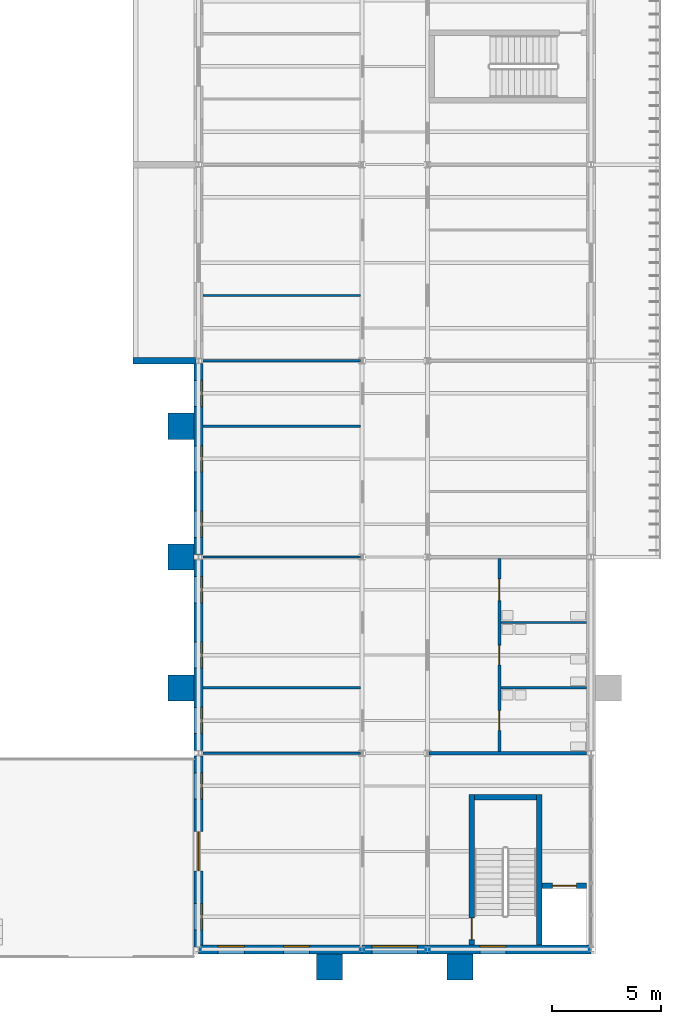
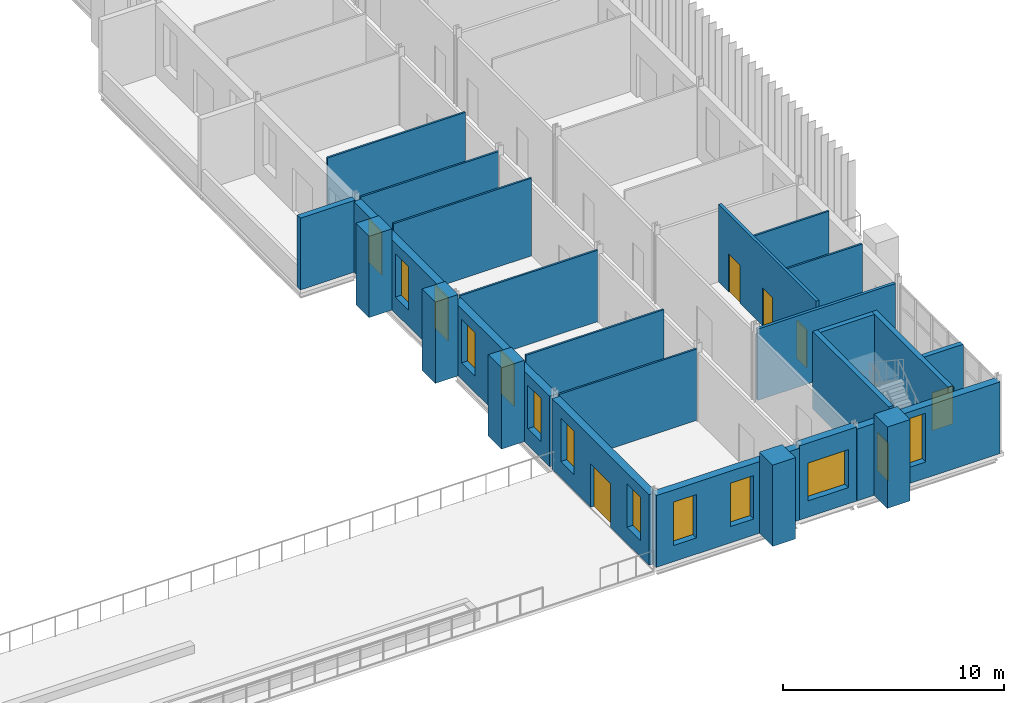
# One storey, part 87 of 134: 26 walls, 12 windows, 6 doors, 18 openings.
"""IFC4 building model written with IfcOpenShell, lengths in metres."""

from ifc_helpers import new_model, si_unit, direction, frame, frame_2d, origin, place, context, subcontext, project, spatial, rectangle, extrude, material, layer, layer_set, type_object, element, fill, save


model = new_model("IFC4")

# Units and contexts
model_context = context("Model", 3, precision=1e-05, world=origin(), true_north=direction((0.0, 1.0)))
body_context = subcontext(model_context, "Body", "Model", "MODEL_VIEW")
ifc_project = project(units=[si_unit("LENGTHUNIT", "METRE"), si_unit("AREAUNIT", "SQUARE_METRE"), si_unit("VOLUMEUNIT", "CUBIC_METRE"), si_unit("PLANEANGLEUNIT", "RADIAN"), si_unit("MASSUNIT", "GRAM", prefix="KILO")], contexts=[model_context])

# Site, building, storey
site_placement = place(None, origin())
site = spatial("IfcSite", under=ifc_project, at=site_placement, CompositionType="ELEMENT")
building_placement = place(site_placement, origin())
building = spatial("IfcBuilding", under=site, at=building_placement, Name="Golden Quay Civic Hall", CompositionType="ELEMENT")
storey_placement = place(building_placement, frame((0.0, 0.0, 5.39990234375)))
storey = spatial("IfcBuildingStorey", under=building, at=storey_placement, Name="L01", CompositionType="ELEMENT", Elevation=5.39990234375)

# Wall, openings, door, windows
ifc_material_1 = material(Name="Brick, dark clay facing", Category="masonry")
ifc_layer_1 = layer(ifc_material_1, 0.39990234375)
ifc_layer_set_1 = layer_set([ifc_layer_1], Name="Brick external wall 400")
wall_type_1 = type_object("IfcWallType", Name="Brick external wall 400", PredefinedType="STANDARD", material=ifc_layer_set_1)
wall_1_placement = place(storey_placement, frame((153.0, -8.885009765625, 0.0), z_axis=(0.0, 0.0, 1.0), x_axis=(0.0, 1.0, 0.0)))
wall_1 = element("IfcWall", 1, at=wall_1_placement, inside=storey, type_object=wall_type_1, Name="Brick external wall 400 L01 11", PredefinedType="STANDARD", context=body_context, shape_type="SweptSolid", body=[
    extrude(rectangle(XDim=8.77001953125, YDim=0.39990234375, at=frame_2d((4.385009765625, 0.0))), origin(), (0.0, 0.0, 1.0), 3.900146484375),
])
opening_1_placement = place(wall_1_placement, frame((3.485107421875, 0.0, 0.0)))
opening_1 = element("IfcOpeningElement", 2, at=opening_1_placement, cuts=wall_1, Name="Opening L01-D007", PredefinedType="OPENING", context=body_context, shape_type="SweptSolid", body=[
    extrude(rectangle(XDim=1.800048828125, YDim=2.39990234375, at=frame_2d((0.89990234375, 1.199951171875))), frame((0.0, 0.2099609375, 0.0), z_axis=(0.0, -1.0, 0.0), x_axis=(1.0, 0.0, 0.0)), (0.0, 0.0, 1.0), 0.419921875),
])
opening_2_placement = place(wall_1_placement, frame((0.784912109375, 0.0, 0.89990234375)))
opening_2 = element("IfcOpeningElement", 3, at=opening_2_placement, cuts=wall_1, Name="Opening WN7", PredefinedType="OPENING", context=body_context, shape_type="SweptSolid", body=[
    extrude(rectangle(XDim=1.199951171875, YDim=2.39990234375, at=frame_2d((0.60009765625, 1.199951171875))), frame((0.0, 0.2099609375, 0.0), z_axis=(0.0, -1.0, 0.0), x_axis=(1.0, 0.0, 0.0)), (0.0, 0.0, 1.0), 0.419921875),
])
opening_3_placement = place(wall_1_placement, frame((6.784912109375, 0.0, 0.89990234375)))
opening_3 = element("IfcOpeningElement", 4, at=opening_3_placement, cuts=wall_1, Name="Opening WN7", PredefinedType="OPENING", context=body_context, shape_type="SweptSolid", body=[
    extrude(rectangle(XDim=1.199951171875, YDim=2.39990234375, at=frame_2d((0.60009765625, 1.199951171875))), frame((0.0, 0.2099609375, 0.0), z_axis=(0.0, -1.0, 0.0), x_axis=(1.0, 0.0, 0.0)), (0.0, 0.0, 1.0), 0.419921875),
])
ifc_material_2 = material(Name="Aluminium frame, glazed", Category="aluminium")
door_type_1 = type_object("IfcDoorType", Name="Glazed double terrace door 1800 x 2400", OperationType="DOUBLE_DOOR_SINGLE_SWING", PredefinedType="DOOR", material=ifc_material_2)
door_1_placement = place(opening_1_placement, origin())
door_1 = element("IfcDoor", 5, at=door_1_placement, inside=storey, type_object=door_type_1, Name="Door L01-D007", OperationType="DOUBLE_DOOR_SINGLE_SWING", OverallHeight=2.39990234375, OverallWidth=1.800048828125, PredefinedType="DOOR", context=body_context, shape_type="SweptSolid", body=[
    extrude(rectangle(XDim=1.800048828125, YDim=2.39990234375, at=frame_2d((0.89990234375, 1.199951171875))), frame((0.0, 0.02490234375, 0.0), z_axis=(0.0, -1.0, 0.0), x_axis=(1.0, 0.0, 0.0)), (0.0, 0.0, 1.0), 0.050048828125),
])
fill(opening_1, door_1)
ifc_material_3 = material(Name="Aluminium frame, double glazed", Category="aluminium")
window_type_1 = type_object("IfcWindowType", Name="Window 1200 x 2400", PartitioningType="SINGLE_PANEL", PredefinedType="WINDOW", material=ifc_material_3)
window_1_placement = place(opening_2_placement, origin())
window_1 = element("IfcWindow", 6, at=window_1_placement, inside=storey, type_object=window_type_1, Name="Window 1200 x 2400 L01 22", OverallHeight=2.39990234375, OverallWidth=1.199951171875, PartitioningType="SINGLE_PANEL", PredefinedType="WINDOW", context=body_context, shape_type="SweptSolid", body=[
    extrude(rectangle(XDim=1.199951171875, YDim=2.39990234375, at=frame_2d((0.60009765625, 1.199951171875))), frame((0.0, -0.119873046875, 0.0), z_axis=(0.0, -1.0, 0.0), x_axis=(1.0, 0.0, 0.0)), (0.0, 0.0, 1.0), 0.06005859375),
])
fill(opening_2, window_1)
window_2_placement = place(opening_3_placement, origin())
window_2 = element("IfcWindow", 7, at=window_2_placement, inside=storey, type_object=window_type_1, Name="Window 1200 x 2400 L01 23", OverallHeight=2.39990234375, OverallWidth=1.199951171875, PartitioningType="SINGLE_PANEL", PredefinedType="WINDOW", context=body_context, shape_type="SweptSolid", body=[
    extrude(rectangle(XDim=1.199951171875, YDim=2.39990234375, at=frame_2d((0.60009765625, 1.199951171875))), frame((0.0, -0.119873046875, 0.0), z_axis=(0.0, -1.0, 0.0), x_axis=(1.0, 0.0, 0.0)), (0.0, 0.0, 1.0), 0.06005859375),
])
fill(opening_3, window_2)

# Wall, openings, windows
wall_2_placement = place(storey_placement, frame((153.0, 0.114990234375, 0.0), z_axis=(0.0, 0.0, 1.0), x_axis=(0.0, 1.0, 0.0)))
wall_2 = element("IfcWall", 8, at=wall_2_placement, inside=storey, type_object=wall_type_1, Name="Brick external wall 400 L01 12", PredefinedType="STANDARD", context=body_context, shape_type="SweptSolid", body=[
    extrude(rectangle(XDim=8.77001953125, YDim=0.39990234375, at=frame_2d((4.385009765625, 0.0))), origin(), (0.0, 0.0, 1.0), 3.900146484375),
])
opening_4_placement = place(wall_2_placement, frame((0.784912109375, 0.0, 0.89990234375)))
opening_4 = element("IfcOpeningElement", 9, at=opening_4_placement, cuts=wall_2, Name="Opening WN7", PredefinedType="OPENING", context=body_context, shape_type="SweptSolid", body=[
    extrude(rectangle(XDim=1.199951171875, YDim=2.39990234375, at=frame_2d((0.60009765625, 1.199951171875))), frame((0.0, 0.2099609375, 0.0), z_axis=(0.0, -1.0, 0.0), x_axis=(1.0, 0.0, 0.0)), (0.0, 0.0, 1.0), 0.419921875),
])
opening_5_placement = place(wall_2_placement, frame((3.784912109375, 0.0, 0.89990234375)))
opening_5 = element("IfcOpeningElement", 10, at=opening_5_placement, cuts=wall_2, Name="Opening WN7", PredefinedType="OPENING", context=body_context, shape_type="SweptSolid", body=[
    extrude(rectangle(XDim=1.199951171875, YDim=2.39990234375, at=frame_2d((0.60009765625, 1.199951171875))), frame((0.0, 0.2099609375, 0.0), z_axis=(0.0, -1.0, 0.0), x_axis=(1.0, 0.0, 0.0)), (0.0, 0.0, 1.0), 0.419921875),
])
opening_6_placement = place(wall_2_placement, frame((6.784912109375, 0.0, 0.89990234375)))
opening_6 = element("IfcOpeningElement", 11, at=opening_6_placement, cuts=wall_2, Name="Opening WN7", PredefinedType="OPENING", context=body_context, shape_type="SweptSolid", body=[
    extrude(rectangle(XDim=1.199951171875, YDim=2.39990234375, at=frame_2d((0.60009765625, 1.199951171875))), frame((0.0, 0.2099609375, 0.0), z_axis=(0.0, -1.0, 0.0), x_axis=(1.0, 0.0, 0.0)), (0.0, 0.0, 1.0), 0.419921875),
])
window_3_placement = place(opening_4_placement, origin())
window_3 = element("IfcWindow", 12, at=window_3_placement, inside=storey, type_object=window_type_1, Name="Window 1200 x 2400 L01 24", OverallHeight=2.39990234375, OverallWidth=1.199951171875, PartitioningType="SINGLE_PANEL", PredefinedType="WINDOW", context=body_context, shape_type="SweptSolid", body=[
    extrude(rectangle(XDim=1.199951171875, YDim=2.39990234375, at=frame_2d((0.60009765625, 1.199951171875))), frame((0.0, -0.119873046875, 0.0), z_axis=(0.0, -1.0, 0.0), x_axis=(1.0, 0.0, 0.0)), (0.0, 0.0, 1.0), 0.06005859375),
])
fill(opening_4, window_3)
window_4_placement = place(opening_5_placement, origin())
window_4 = element("IfcWindow", 13, at=window_4_placement, inside=storey, type_object=window_type_1, Name="Window 1200 x 2400 L01 25", OverallHeight=2.39990234375, OverallWidth=1.199951171875, PartitioningType="SINGLE_PANEL", PredefinedType="WINDOW", context=body_context, shape_type="SweptSolid", body=[
    extrude(rectangle(XDim=1.199951171875, YDim=2.39990234375, at=frame_2d((0.60009765625, 1.199951171875))), frame((0.0, -0.119873046875, 0.0), z_axis=(0.0, -1.0, 0.0), x_axis=(1.0, 0.0, 0.0)), (0.0, 0.0, 1.0), 0.06005859375),
])
fill(opening_5, window_4)
window_5_placement = place(opening_6_placement, origin())
window_5 = element("IfcWindow", 14, at=window_5_placement, inside=storey, type_object=window_type_1, Name="Window 1200 x 2400 L01 26", OverallHeight=2.39990234375, OverallWidth=1.199951171875, PartitioningType="SINGLE_PANEL", PredefinedType="WINDOW", context=body_context, shape_type="SweptSolid", body=[
    extrude(rectangle(XDim=1.199951171875, YDim=2.39990234375, at=frame_2d((0.60009765625, 1.199951171875))), frame((0.0, -0.119873046875, 0.0), z_axis=(0.0, -1.0, 0.0), x_axis=(1.0, 0.0, 0.0)), (0.0, 0.0, 1.0), 0.06005859375),
])
fill(opening_6, window_5)

wall_3_placement = place(storey_placement, frame((153.0, 9.114990234375, 0.0), z_axis=(0.0, 0.0, 1.0), x_axis=(0.0, 1.0, 0.0)))
wall_3 = element("IfcWall", 15, at=wall_3_placement, inside=storey, type_object=wall_type_1, Name="Brick external wall 400 L01 13", PredefinedType="STANDARD", context=body_context, shape_type="SweptSolid", body=[
    extrude(rectangle(XDim=8.77001953125, YDim=0.39990234375, at=frame_2d((4.385009765625, 0.0))), origin(), (0.0, 0.0, 1.0), 3.900146484375),
])
opening_7_placement = place(wall_3_placement, frame((0.784912109375, 0.0, 0.89990234375)))
opening_7 = element("IfcOpeningElement", 16, at=opening_7_placement, cuts=wall_3, Name="Opening WN7", PredefinedType="OPENING", context=body_context, shape_type="SweptSolid", body=[
    extrude(rectangle(XDim=1.199951171875, YDim=2.39990234375, at=frame_2d((0.60009765625, 1.199951171875))), frame((0.0, 0.2099609375, 0.0), z_axis=(0.0, -1.0, 0.0), x_axis=(1.0, 0.0, 0.0)), (0.0, 0.0, 1.0), 0.419921875),
])
opening_8_placement = place(wall_3_placement, frame((3.784912109375, 0.0, 0.89990234375)))
opening_8 = element("IfcOpeningElement", 17, at=opening_8_placement, cuts=wall_3, Name="Opening WN7", PredefinedType="OPENING", context=body_context, shape_type="SweptSolid", body=[
    extrude(rectangle(XDim=1.199951171875, YDim=2.39990234375, at=frame_2d((0.60009765625, 1.199951171875))), frame((0.0, 0.2099609375, 0.0), z_axis=(0.0, -1.0, 0.0), x_axis=(1.0, 0.0, 0.0)), (0.0, 0.0, 1.0), 0.419921875),
])
opening_9_placement = place(wall_3_placement, frame((6.784912109375, 0.0, 0.89990234375)))
opening_9 = element("IfcOpeningElement", 18, at=opening_9_placement, cuts=wall_3, Name="Opening WN7", PredefinedType="OPENING", context=body_context, shape_type="SweptSolid", body=[
    extrude(rectangle(XDim=1.199951171875, YDim=2.39990234375, at=frame_2d((0.60009765625, 1.199951171875))), frame((0.0, 0.2099609375, 0.0), z_axis=(0.0, -1.0, 0.0), x_axis=(1.0, 0.0, 0.0)), (0.0, 0.0, 1.0), 0.419921875),
])
window_6_placement = place(opening_7_placement, origin())
window_6 = element("IfcWindow", 19, at=window_6_placement, inside=storey, type_object=window_type_1, Name="Window 1200 x 2400 L01 27", OverallHeight=2.39990234375, OverallWidth=1.199951171875, PartitioningType="SINGLE_PANEL", PredefinedType="WINDOW", context=body_context, shape_type="SweptSolid", body=[
    extrude(rectangle(XDim=1.199951171875, YDim=2.39990234375, at=frame_2d((0.60009765625, 1.199951171875))), frame((0.0, -0.119873046875, 0.0), z_axis=(0.0, -1.0, 0.0), x_axis=(1.0, 0.0, 0.0)), (0.0, 0.0, 1.0), 0.06005859375),
])
fill(opening_7, window_6)
window_7_placement = place(opening_8_placement, origin())
window_7 = element("IfcWindow", 20, at=window_7_placement, inside=storey, type_object=window_type_1, Name="Window 1200 x 2400 L01 28", OverallHeight=2.39990234375, OverallWidth=1.199951171875, PartitioningType="SINGLE_PANEL", PredefinedType="WINDOW", context=body_context, shape_type="SweptSolid", body=[
    extrude(rectangle(XDim=1.199951171875, YDim=2.39990234375, at=frame_2d((0.60009765625, 1.199951171875))), frame((0.0, -0.119873046875, 0.0), z_axis=(0.0, -1.0, 0.0), x_axis=(1.0, 0.0, 0.0)), (0.0, 0.0, 1.0), 0.06005859375),
])
fill(opening_8, window_7)
window_8_placement = place(opening_9_placement, origin())
window_8 = element("IfcWindow", 21, at=window_8_placement, inside=storey, type_object=window_type_1, Name="Window 1200 x 2400 L01 29", OverallHeight=2.39990234375, OverallWidth=1.199951171875, PartitioningType="SINGLE_PANEL", PredefinedType="WINDOW", context=body_context, shape_type="SweptSolid", body=[
    extrude(rectangle(XDim=1.199951171875, YDim=2.39990234375, at=frame_2d((0.60009765625, 1.199951171875))), frame((0.0, -0.119873046875, 0.0), z_axis=(0.0, -1.0, 0.0), x_axis=(1.0, 0.0, 0.0)), (0.0, 0.0, 1.0), 0.06005859375),
])
fill(opening_9, window_8)

wall_4_placement = place(storey_placement, frame((160.4912109375, -9.0, 0.0), z_axis=(0.0, 0.0, 1.0), x_axis=(-1.0, 0.0, 0.0)))
wall_4 = element("IfcWall", 22, at=wall_4_placement, inside=storey, type_object=wall_type_1, Name="Brick external wall 400 L01 24", PredefinedType="STANDARD", context=body_context, shape_type="SweptSolid", body=[
    extrude(rectangle(XDim=7.482421875, YDim=0.39990234375, at=frame_2d((3.7412109375, 0.0))), origin(), (0.0, 0.0, 1.0), 3.97021484375),
])
opening_10_placement = place(wall_4_placement, frame((5.391357421875, 0.0, 0.89990234375)))
opening_10 = element("IfcOpeningElement", 23, at=opening_10_placement, cuts=wall_4, Name="Opening WN7", PredefinedType="OPENING", context=body_context, shape_type="SweptSolid", body=[
    extrude(rectangle(XDim=1.199951171875, YDim=2.39990234375, at=frame_2d((0.60009765625, 1.199951171875))), frame((0.0, 0.2099609375, 0.0), z_axis=(0.0, -1.0, 0.0), x_axis=(1.0, 0.0, 0.0)), (0.0, 0.0, 1.0), 0.419921875),
])
opening_11_placement = place(wall_4_placement, frame((2.391357421875, 0.0, 0.89990234375)))
opening_11 = element("IfcOpeningElement", 24, at=opening_11_placement, cuts=wall_4, Name="Opening WN7", PredefinedType="OPENING", context=body_context, shape_type="SweptSolid", body=[
    extrude(rectangle(XDim=1.199951171875, YDim=2.39990234375, at=frame_2d((0.60009765625, 1.199951171875))), frame((0.0, 0.2099609375, 0.0), z_axis=(0.0, -1.0, 0.0), x_axis=(1.0, 0.0, 0.0)), (0.0, 0.0, 1.0), 0.419921875),
])
window_9_placement = place(opening_10_placement, origin())
window_9 = element("IfcWindow", 25, at=window_9_placement, inside=storey, type_object=window_type_1, Name="Window 1200 x 2400 L01 52", OverallHeight=2.39990234375, OverallWidth=1.199951171875, PartitioningType="SINGLE_PANEL", PredefinedType="WINDOW", context=body_context, shape_type="SweptSolid", body=[
    extrude(rectangle(XDim=1.199951171875, YDim=2.39990234375, at=frame_2d((0.60009765625, 1.199951171875))), frame((0.0, -0.119873046875, 0.0), z_axis=(0.0, -1.0, 0.0), x_axis=(1.0, 0.0, 0.0)), (0.0, 0.0, 1.0), 0.06005859375),
])
fill(opening_10, window_9)
window_10_placement = place(opening_11_placement, origin())
window_10 = element("IfcWindow", 26, at=window_10_placement, inside=storey, type_object=window_type_1, Name="Window 1200 x 2400 L01 53", OverallHeight=2.39990234375, OverallWidth=1.199951171875, PartitioningType="SINGLE_PANEL", PredefinedType="WINDOW", context=body_context, shape_type="SweptSolid", body=[
    extrude(rectangle(XDim=1.199951171875, YDim=2.39990234375, at=frame_2d((0.60009765625, 1.199951171875))), frame((0.0, -0.119873046875, 0.0), z_axis=(0.0, -1.0, 0.0), x_axis=(1.0, 0.0, 0.0)), (0.0, 0.0, 1.0), 0.06005859375),
])
fill(opening_11, window_10)

# Wall, opening, window
wall_5_placement = place(storey_placement, frame((163.4912109375, -9.0, 0.0), z_axis=(0.0, 0.0, 1.0), x_axis=(-1.0, 0.0, 0.0)))
wall_5 = element("IfcWall", 27, at=wall_5_placement, inside=storey, type_object=wall_type_1, Name="Brick external wall 400 L01 25", PredefinedType="STANDARD", context=body_context, shape_type="SweptSolid", body=[
    extrude(rectangle(XDim=2.982421875, YDim=0.39990234375, at=frame_2d((1.4912109375, 0.0))), origin(), (0.0, 0.0, 1.0), 4.10009765625),
])
opening_12_placement = place(wall_5_placement, frame((0.441162109375, 0.0, 0.89990234375)))
opening_12 = element("IfcOpeningElement", 28, at=opening_12_placement, cuts=wall_5, Name="Opening WN2", PredefinedType="OPENING", context=body_context, shape_type="SweptSolid", body=[
    extrude(rectangle(XDim=2.10009765625, YDim=2.10009765625, at=frame_2d((1.050048828125, 1.050048828125))), frame((0.0, 0.2099609375, 0.0), z_axis=(0.0, -1.0, 0.0), x_axis=(1.0, 0.0, 0.0)), (0.0, 0.0, 1.0), 0.419921875),
])
ifc_material_4 = material(Name="Aluminium frame, double glazed", Category="aluminium")
window_type_2 = type_object("IfcWindowType", Name="Corridor end window 2100 x 2100", PartitioningType="SINGLE_PANEL", PredefinedType="WINDOW", material=ifc_material_4)
window_11_placement = place(opening_12_placement, origin())
window_11 = element("IfcWindow", 29, at=window_11_placement, inside=storey, type_object=window_type_2, Name="Corridor end window 2100 x 2100 L01 4", OverallHeight=2.10009765625, OverallWidth=2.10009765625, PartitioningType="SINGLE_PANEL", PredefinedType="WINDOW", context=body_context, shape_type="SweptSolid", body=[
    extrude(rectangle(XDim=2.10009765625, YDim=2.10009765625, at=frame_2d((1.050048828125, 1.050048828125))), frame((0.0, -0.119873046875, 0.0), z_axis=(0.0, -1.0, 0.0), x_axis=(1.0, 0.0, 0.0)), (0.0, 0.0, 1.0), 0.06005859375),
])
fill(opening_12, window_11)

ifc_material_5 = material(Name="Brick, dark clay facing", Category="masonry")
ifc_layer_2 = layer(ifc_material_5, 0.39990234375)
ifc_layer_set_2 = layer_set([ifc_layer_2], Name="Brick external wall 400 fire EI 60")
wall_type_2 = type_object("IfcWallType", Name="Brick external wall 400 fire EI 60", PredefinedType="STANDARD", material=ifc_layer_set_2)
wall_6_placement = place(storey_placement, frame((170.9912109375, -9.0, 0.0), z_axis=(0.0, 0.0, 1.0), x_axis=(-1.0, 0.0, 0.0)))
wall_6 = element("IfcWall", 30, at=wall_6_placement, inside=storey, type_object=wall_type_2, Name="Brick external wall 400 fire EI 60 L01 5", PredefinedType="STANDARD", context=body_context, shape_type="SweptSolid", body=[
    extrude(rectangle(XDim=7.482421875, YDim=0.39990234375, at=frame_2d((3.7412109375, 0.0))), origin(), (0.0, 0.0, 1.0), 3.97021484375),
])
opening_13_placement = place(wall_6_placement, frame((3.891357421875, 0.0, 0.89990234375)))
opening_13 = element("IfcOpeningElement", 31, at=opening_13_placement, cuts=wall_6, Name="Opening WN13", PredefinedType="OPENING", context=body_context, shape_type="SweptSolid", body=[
    extrude(rectangle(XDim=1.199951171875, YDim=2.699951171875, at=frame_2d((0.60009765625, 1.35009765625))), frame((0.0, 0.2099609375, 0.0), z_axis=(0.0, -1.0, 0.0), x_axis=(1.0, 0.0, 0.0)), (0.0, 0.0, 1.0), 0.419921875),
])
ifc_material_6 = material(Name="Aluminium frame, double glazed", Category="aluminium")
window_type_3 = type_object("IfcWindowType", Name="Stair light window 1200 x 2700", PartitioningType="SINGLE_PANEL", PredefinedType="WINDOW", material=ifc_material_6)
window_12_placement = place(opening_13_placement, origin())
window_12 = element("IfcWindow", 32, at=window_12_placement, inside=storey, type_object=window_type_3, Name="Stair light window 1200 x 2700 L01 4", OverallHeight=2.699951171875, OverallWidth=1.199951171875, PartitioningType="SINGLE_PANEL", PredefinedType="WINDOW", context=body_context, shape_type="SweptSolid", body=[
    extrude(rectangle(XDim=1.199951171875, YDim=2.699951171875, at=frame_2d((0.60009765625, 1.35009765625))), frame((0.0, -0.119873046875, 0.0), z_axis=(0.0, -1.0, 0.0), x_axis=(1.0, 0.0, 0.0)), (0.0, 0.0, 1.0), 0.06005859375),
])
fill(opening_13, window_12)

# Walls
ifc_material_7 = material(Name="Brick, dark clay facing", Category="masonry")
ifc_layer_3 = layer(ifc_material_7, 0.300048828125)
ifc_layer_set_3 = layer_set([ifc_layer_3], Name="Brick loggia wall 300")
wall_type_3 = type_object("IfcWallType", Name="Brick loggia wall 300", PredefinedType="STANDARD", material=ifc_layer_set_3)
wall_7_placement = place(storey_placement, frame((152.8798828125, 18.0, 0.0), z_axis=(0.0, 0.0, 1.0), x_axis=(-1.0, 0.0, 0.0)))
element("IfcWall", 33, at=wall_7_placement, inside=storey, type_object=wall_type_3, Name="Brick loggia wall 300 L01 6", PredefinedType="STANDARD", context=body_context, shape_type="SweptSolid", body=[
    extrude(rectangle(XDim=2.8798828125, YDim=0.300048828125, at=frame_2d((1.43994140625, 0.0))), origin(), (0.0, 0.0, 1.0), 3.97021484375),
])
ifc_material_8 = material(Name="Brick, dark clay facing", Category="masonry")
ifc_layer_4 = layer(ifc_material_8, 1.199951171875)
ifc_layer_set_4 = layer_set([ifc_layer_4], Name="Brick pilaster 1200 x 1200")
wall_type_4 = type_object("IfcWallType", Name="Brick pilaster 1200 x 1200", PredefinedType="STANDARD", material=ifc_layer_set_4)
for number, where, z_axis, x_axis, name in (
    (34, (152.199951171875, 2.39990234375, 0.0), (0.0, 0.0, 1.0), (0.0, 1.0, 0.0), "Brick pilaster 1200 x 1200 L01 6"),
    (35, (152.199951171875, 8.39990234375, 0.0), (0.0, 0.0, 1.0), (0.0, 1.0, 0.0), "Brick pilaster 1200 x 1200 L01 7"),
    (36, (152.199951171875, 14.39990234375, 0.0), (0.0, 0.0, 1.0), (0.0, 1.0, 0.0), "Brick pilaster 1200 x 1200 L01 8"),
    (37, (158.39990234375, -9.800048828125, 0.0), (0.0, 0.0, 1.0), (1.0, 0.0, 0.0), "Brick pilaster 1200 x 1200 L01 14"),
    (38, (164.39990234375, -9.800048828125, 0.0), (0.0, 0.0, 1.0), (1.0, 0.0, 0.0), "Brick pilaster 1200 x 1200 L01 15"),
):
    element("IfcWall", number, at=place(storey_placement, frame(where, z_axis=z_axis, x_axis=x_axis)), inside=storey, type_object=wall_type_4, Name=name, PredefinedType="STANDARD", context=body_context, shape_type="SweptSolid", body=[
        extrude(rectangle(XDim=1.2001953125, YDim=1.199951171875, at=frame_2d((0.60009765625, 0.0))), origin(), (0.0, 0.0, 1.0), 4.5),
    ])
ifc_material_9 = material(Name="Concrete C40/50", Category="concrete")
ifc_layer_5 = layer(ifc_material_9, 0.25)
ifc_layer_set_5 = layer_set([ifc_layer_5], Name="Concrete core wall 250, Concrete C40/50")
wall_type_5 = type_object("IfcWallType", Name="Concrete core wall 250", PredefinedType="SHEAR", material=ifc_layer_set_5)
wall_8_placement = place(storey_placement, frame((168.625, -8.800048828125, 0.0), z_axis=(0.0, 0.0, 1.0), x_axis=(0.0, 1.0, 0.0)))
element("IfcWall", 39, at=wall_8_placement, inside=storey, type_object=wall_type_5, Name="Core wall EO-S-W1", PredefinedType="SHEAR", context=body_context, shape_type="SweptSolid", body=[
    extrude(rectangle(XDim=6.900146484375, YDim=0.25, at=frame_2d((3.4501953125, 0.0))), origin(), (0.0, 0.0, 1.0), 4.300048828125),
])

# Wall, opening, door
wall_9_placement = place(storey_placement, frame((165.52490234375, -8.800048828125, 0.0), z_axis=(0.0, 0.0, 1.0), x_axis=(0.0, 1.0, 0.0)))
wall_9 = element("IfcWall", 40, at=wall_9_placement, inside=storey, type_object=wall_type_5, Name="Core wall EO-S-W2", PredefinedType="SHEAR", context=body_context, shape_type="SweptSolid", body=[
    extrude(rectangle(XDim=6.900146484375, YDim=0.25, at=frame_2d((3.4501953125, 0.0))), origin(), (0.0, 0.0, 1.0), 4.300048828125),
])
opening_14_placement = place(wall_9_placement, frame((0.25, 0.0, 0.0)))
opening_14 = element("IfcOpeningElement", 41, at=opening_14_placement, cuts=wall_9, Name="Opening L01-D155", PredefinedType="OPENING", context=body_context, shape_type="SweptSolid", body=[
    extrude(rectangle(XDim=1.0, YDim=2.10009765625, at=frame_2d((0.5, 1.050048828125))), frame((0.0, 0.135009765625, 0.0), z_axis=(0.0, -1.0, 0.0), x_axis=(1.0, 0.0, 0.0)), (0.0, 0.0, 1.0), 0.27001953125),
])
ifc_material_10 = material(Name="Steel", Category="steel")
door_type_2 = type_object("IfcDoorType", Name="Steel fire door FD60 1000 x 2100", OperationType="SINGLE_SWING_LEFT", PredefinedType="DOOR", material=ifc_material_10)
door_2_placement = place(opening_14_placement, frame((1.0, 0.0, 0.0), z_axis=(0.0, 0.0, 1.0), x_axis=(-1.0, 0.0, 0.0)))
door_2 = element("IfcDoor", 42, at=door_2_placement, inside=storey, type_object=door_type_2, Name="Door L01-D155", OperationType="SINGLE_SWING_RIGHT", OverallHeight=2.10009765625, OverallWidth=1.0, PredefinedType="DOOR", context=body_context, shape_type="SweptSolid", body=[
    extrude(rectangle(XDim=1.0, YDim=2.10009765625, at=frame_2d((0.5, 1.050048828125))), frame((0.0, 0.025146484375, 0.0), z_axis=(0.0, -1.0, 0.0), x_axis=(1.0, 0.0, 0.0)), (0.0, 0.0, 1.0), 0.050048828125),
])
fill(opening_14, door_2)

# Wall
wall_10_placement = place(storey_placement, frame((165.64990234375, -2.02490234375, 0.0), z_axis=(0.0, 0.0, 1.0), x_axis=(1.0, 0.0, 0.0)))
element("IfcWall", 43, at=wall_10_placement, inside=storey, type_object=wall_type_5, Name="Core wall EO-S-W3", PredefinedType="SHEAR", context=body_context, shape_type="SweptSolid", body=[
    extrude(rectangle(XDim=2.85009765625, YDim=0.25, at=frame_2d((1.425048828125, 0.0))), origin(), (0.0, 0.0, 1.0), 4.300048828125),
])

# Wall, opening, door
wall_11_placement = place(storey_placement, frame((168.75, -6.074951171875, 0.0), z_axis=(0.0, 0.0, 1.0), x_axis=(1.0, 0.0, 0.0)))
wall_11 = element("IfcWall", 44, at=wall_11_placement, inside=storey, type_object=wall_type_5, Name="Core wall EO-S-W4", PredefinedType="SHEAR", context=body_context, shape_type="SweptSolid", body=[
    extrude(rectangle(XDim=2.050048828125, YDim=0.25, at=frame_2d((1.02490234375, 0.0))), origin(), (0.0, 0.0, 1.0), 4.300048828125),
])
opening_15_placement = place(wall_11_placement, frame((0.47509765625, 0.0, 0.0)))
opening_15 = element("IfcOpeningElement", 45, at=opening_15_placement, cuts=wall_11, Name="Opening L01-D162", PredefinedType="OPENING", context=body_context, shape_type="SweptSolid", body=[
    extrude(rectangle(XDim=1.10009765625, YDim=2.10009765625, at=frame_2d((0.550048828125, 1.050048828125))), frame((0.0, 0.135009765625, 0.0), z_axis=(0.0, -1.0, 0.0), x_axis=(1.0, 0.0, 0.0)), (0.0, 0.0, 1.0), 0.27001953125),
])
ifc_material_11 = material(Name="Steel", Category="steel")
door_type_3 = type_object("IfcDoorType", Name="Lift landing door 1100 x 2100", OperationType="SLIDING_TO_LEFT", PredefinedType="DOOR", material=ifc_material_11)
door_3_placement = place(opening_15_placement, origin())
door_3 = element("IfcDoor", 46, at=door_3_placement, inside=storey, type_object=door_type_3, Name="Lift landing door L01-D162 EO-S", OperationType="SLIDING_TO_LEFT", OverallHeight=2.10009765625, OverallWidth=1.10009765625, PredefinedType="DOOR", context=body_context, shape_type="SweptSolid", body=[
    extrude(rectangle(XDim=1.10009765625, YDim=2.10009765625, at=frame_2d((0.550048828125, 1.050048828125))), frame((0.0, 0.02490234375, 0.0), z_axis=(0.0, -1.0, 0.0), x_axis=(1.0, 0.0, 0.0)), (0.0, 0.0, 1.0), 0.050048828125),
])
fill(opening_15, door_3)

# Walls
ifc_material_12 = material(Name="Plasterboard on steel studs", Category="steel")
ifc_layer_6 = layer(ifc_material_12, 0.10009765625)
ifc_layer_set_6 = layer_set([ifc_layer_6], Name="Partition 100 stud")
wall_type_6 = type_object("IfcWallType", Name="Partition 100 stud", PredefinedType="PARTITIONING", material=ifc_layer_set_6)
wall_12_placement = place(storey_placement, frame((153.199951171875, 0.0, 0.0), z_axis=(0.0, 0.0, 1.0), x_axis=(1.0, 0.0, 0.0)))
element("IfcWall", 47, at=wall_12_placement, inside=storey, type_object=wall_type_6, Name="Partition L01-009", PredefinedType="PARTITIONING", context=body_context, shape_type="SweptSolid", body=[
    extrude(rectangle(XDim=7.22509765625, YDim=0.10009765625, at=frame_2d((3.612548828125, 0.0))), origin(), (0.0, 0.0, 1.0), 3.9501953125),
])
wall_13_placement = place(storey_placement, frame((153.199951171875, 3.0, 0.0), z_axis=(0.0, 0.0, 1.0), x_axis=(1.0, 0.0, 0.0)))
element("IfcWall", 48, at=wall_13_placement, inside=storey, type_object=wall_type_6, Name="Partition L01-010", PredefinedType="PARTITIONING", context=body_context, shape_type="SweptSolid", body=[
    extrude(rectangle(XDim=7.22509765625, YDim=0.10009765625, at=frame_2d((3.612548828125, 0.0))), origin(), (0.0, 0.0, 1.0), 4.300048828125),
])
wall_14_placement = place(storey_placement, frame((153.199951171875, 9.0, 0.0), z_axis=(0.0, 0.0, 1.0), x_axis=(1.0, 0.0, 0.0)))
element("IfcWall", 49, at=wall_14_placement, inside=storey, type_object=wall_type_6, Name="Partition L01-011", PredefinedType="PARTITIONING", context=body_context, shape_type="SweptSolid", body=[
    extrude(rectangle(XDim=7.22509765625, YDim=0.10009765625, at=frame_2d((3.612548828125, 0.0))), origin(), (0.0, 0.0, 1.0), 3.9501953125),
])
wall_15_placement = place(storey_placement, frame((153.199951171875, 15.0, 0.0), z_axis=(0.0, 0.0, 1.0), x_axis=(1.0, 0.0, 0.0)))
element("IfcWall", 50, at=wall_15_placement, inside=storey, type_object=wall_type_6, Name="Partition L01-012", PredefinedType="PARTITIONING", context=body_context, shape_type="SweptSolid", body=[
    extrude(rectangle(XDim=7.22509765625, YDim=0.10009765625, at=frame_2d((3.612548828125, 0.0))), origin(), (0.0, 0.0, 1.0), 4.300048828125),
])
wall_16_placement = place(storey_placement, frame((153.199951171875, 18.0, 0.0), z_axis=(0.0, 0.0, 1.0), x_axis=(1.0, 0.0, 0.0)))
element("IfcWall", 51, at=wall_16_placement, inside=storey, type_object=wall_type_6, Name="Partition L01-013", PredefinedType="PARTITIONING", context=body_context, shape_type="SweptSolid", body=[
    extrude(rectangle(XDim=7.22509765625, YDim=0.10009765625, at=frame_2d((3.612548828125, 0.0))), origin(), (0.0, 0.0, 1.0), 3.9501953125),
])
wall_17_placement = place(storey_placement, frame((153.199951171875, 21.0, 0.0), z_axis=(0.0, 0.0, 1.0), x_axis=(1.0, 0.0, 0.0)))
element("IfcWall", 52, at=wall_17_placement, inside=storey, type_object=wall_type_6, Name="Partition L01-014", PredefinedType="PARTITIONING", context=body_context, shape_type="SweptSolid", body=[
    extrude(rectangle(XDim=7.22509765625, YDim=0.10009765625, at=frame_2d((3.612548828125, 0.0))), origin(), (0.0, 0.0, 1.0), 4.300048828125),
])
for number, where, z_axis, x_axis, name in (
    (53, (166.875, 3.0, 0.0), (0.0, 0.0, 1.0), (1.0, 0.0, 0.0), "Partition L01-025"),
    (54, (166.875, 6.0, 0.0), (0.0, 0.0, 1.0), (1.0, 0.0, 0.0), "Partition L01-026"),
):
    element("IfcWall", number, at=place(storey_placement, frame(where, z_axis=z_axis, x_axis=x_axis)), inside=storey, type_object=wall_type_6, Name=name, PredefinedType="PARTITIONING", context=body_context, shape_type="SweptSolid", body=[
        extrude(rectangle(XDim=3.925048828125, YDim=0.10009765625, at=frame_2d((1.96240234375, 0.0))), origin(), (0.0, 0.0, 1.0), 4.300048828125),
    ])
ifc_material_13 = material(Name="Plasterboard on steel studs", Category="steel")
ifc_layer_7 = layer(ifc_material_13, 0.14990234375)
ifc_layer_set_7 = layer_set([ifc_layer_7], Name="Partition 150 stud fire EI 60")
wall_type_7 = type_object("IfcWallType", Name="Partition 150 stud fire EI 60", PredefinedType="PARTITIONING", material=ifc_layer_set_7)
wall_18_placement = place(storey_placement, frame((163.574951171875, 0.0, 0.0), z_axis=(0.0, 0.0, 1.0), x_axis=(1.0, 0.0, 0.0)))
element("IfcWall", 55, at=wall_18_placement, inside=storey, type_object=wall_type_7, Name="Partition L01-021", PredefinedType="PARTITIONING", context=body_context, shape_type="SweptSolid", body=[
    extrude(rectangle(XDim=7.22509765625, YDim=0.14990234375, at=frame_2d((3.612548828125, 0.0))), origin(), (0.0, 0.0, 1.0), 3.9501953125),
])

# Wall, openings, doors
wall_19_placement = place(storey_placement, frame((166.800048828125, 0.074951171875, 0.0), z_axis=(0.0, 0.0, 1.0), x_axis=(0.0, 1.0, 0.0)))
wall_19 = element("IfcWall", 56, at=wall_19_placement, inside=storey, type_object=wall_type_7, Name="Partition L01-024", PredefinedType="PARTITIONING", context=body_context, shape_type="SweptSolid", body=[
    extrude(rectangle(XDim=8.85009765625, YDim=0.14990234375, at=frame_2d((4.425048828125, 0.0))), origin(), (0.0, 0.0, 1.0), 4.300048828125),
])
opening_16_placement = place(wall_19_placement, frame((0.97509765625, 0.0, 0.0)))
opening_16 = element("IfcOpeningElement", 57, at=opening_16_placement, cuts=wall_19, Name="Opening L01-D152", PredefinedType="OPENING", context=body_context, shape_type="SweptSolid", body=[
    extrude(rectangle(XDim=0.89990234375, YDim=2.10009765625, at=frame_2d((0.449951171875, 1.050048828125))), frame((0.0, 0.0849609375, 0.0), z_axis=(0.0, -1.0, 0.0), x_axis=(1.0, 0.0, 0.0)), (0.0, 0.0, 1.0), 0.169921875),
])
opening_17_placement = place(wall_19_placement, frame((3.97509765625, 0.0, 0.0)))
opening_17 = element("IfcOpeningElement", 58, at=opening_17_placement, cuts=wall_19, Name="Opening L01-D153", PredefinedType="OPENING", context=body_context, shape_type="SweptSolid", body=[
    extrude(rectangle(XDim=0.89990234375, YDim=2.10009765625, at=frame_2d((0.449951171875, 1.050048828125))), frame((0.0, 0.0849609375, 0.0), z_axis=(0.0, -1.0, 0.0), x_axis=(1.0, 0.0, 0.0)), (0.0, 0.0, 1.0), 0.169921875),
])
opening_18_placement = place(wall_19_placement, frame((6.925048828125, 0.0, 0.0)))
opening_18 = element("IfcOpeningElement", 59, at=opening_18_placement, cuts=wall_19, Name="Opening L01-D154", PredefinedType="OPENING", context=body_context, shape_type="SweptSolid", body=[
    extrude(rectangle(XDim=1.0, YDim=2.10009765625, at=frame_2d((0.5, 1.050048828125))), frame((0.0, 0.0849609375, 0.0), z_axis=(0.0, -1.0, 0.0), x_axis=(1.0, 0.0, 0.0)), (0.0, 0.0, 1.0), 0.169921875),
])
ifc_material_14 = material(Name="Timber", Category="wood")
door_type_4 = type_object("IfcDoorType", Name="Timber door 1000 x 2100", OperationType="SINGLE_SWING_LEFT", PredefinedType="DOOR", material=ifc_material_14)
door_4_placement = place(opening_18_placement, frame((1.0, 0.0, 0.0), z_axis=(0.0, 0.0, 1.0), x_axis=(-1.0, 0.0, 0.0)))
door_4 = element("IfcDoor", 60, at=door_4_placement, inside=storey, type_object=door_type_4, Name="Door L01-D154", OperationType="SINGLE_SWING_RIGHT", OverallHeight=2.10009765625, OverallWidth=1.0, PredefinedType="DOOR", context=body_context, shape_type="SweptSolid", body=[
    extrude(rectangle(XDim=1.0, YDim=2.10009765625, at=frame_2d((0.5, 1.050048828125))), frame((0.0, 0.025146484375, 0.0), z_axis=(0.0, -1.0, 0.0), x_axis=(1.0, 0.0, 0.0)), (0.0, 0.0, 1.0), 0.050048828125),
])
fill(opening_18, door_4)
ifc_material_15 = material(Name="Timber", Category="wood")
door_type_5 = type_object("IfcDoorType", Name="Timber door 900 x 2100", OperationType="SINGLE_SWING_LEFT", PredefinedType="DOOR", material=ifc_material_15)
door_5_placement = place(opening_16_placement, frame((0.89990234375, 0.0, 0.0), z_axis=(0.0, 0.0, 1.0), x_axis=(-1.0, 0.0, 0.0)))
door_5 = element("IfcDoor", 61, at=door_5_placement, inside=storey, type_object=door_type_5, Name="Door L01-D152", OperationType="SINGLE_SWING_RIGHT", OverallHeight=2.10009765625, OverallWidth=0.89990234375, PredefinedType="DOOR", context=body_context, shape_type="SweptSolid", body=[
    extrude(rectangle(XDim=0.89990234375, YDim=2.10009765625, at=frame_2d((0.449951171875, 1.050048828125))), frame((0.0, 0.025146484375, 0.0), z_axis=(0.0, -1.0, 0.0), x_axis=(1.0, 0.0, 0.0)), (0.0, 0.0, 1.0), 0.050048828125),
])
fill(opening_16, door_5)
door_6_placement = place(opening_17_placement, frame((0.89990234375, 0.0, 0.0), z_axis=(0.0, 0.0, 1.0), x_axis=(-1.0, 0.0, 0.0)))
door_6 = element("IfcDoor", 62, at=door_6_placement, inside=storey, type_object=door_type_5, Name="Door L01-D153", OperationType="SINGLE_SWING_RIGHT", OverallHeight=2.10009765625, OverallWidth=0.89990234375, PredefinedType="DOOR", context=body_context, shape_type="SweptSolid", body=[
    extrude(rectangle(XDim=0.89990234375, YDim=2.10009765625, at=frame_2d((0.449951171875, 1.050048828125))), frame((0.0, 0.025146484375, 0.0), z_axis=(0.0, -1.0, 0.0), x_axis=(1.0, 0.0, 0.0)), (0.0, 0.0, 1.0), 0.050048828125),
])
fill(opening_17, door_6)

save(model, "model.ifc")
